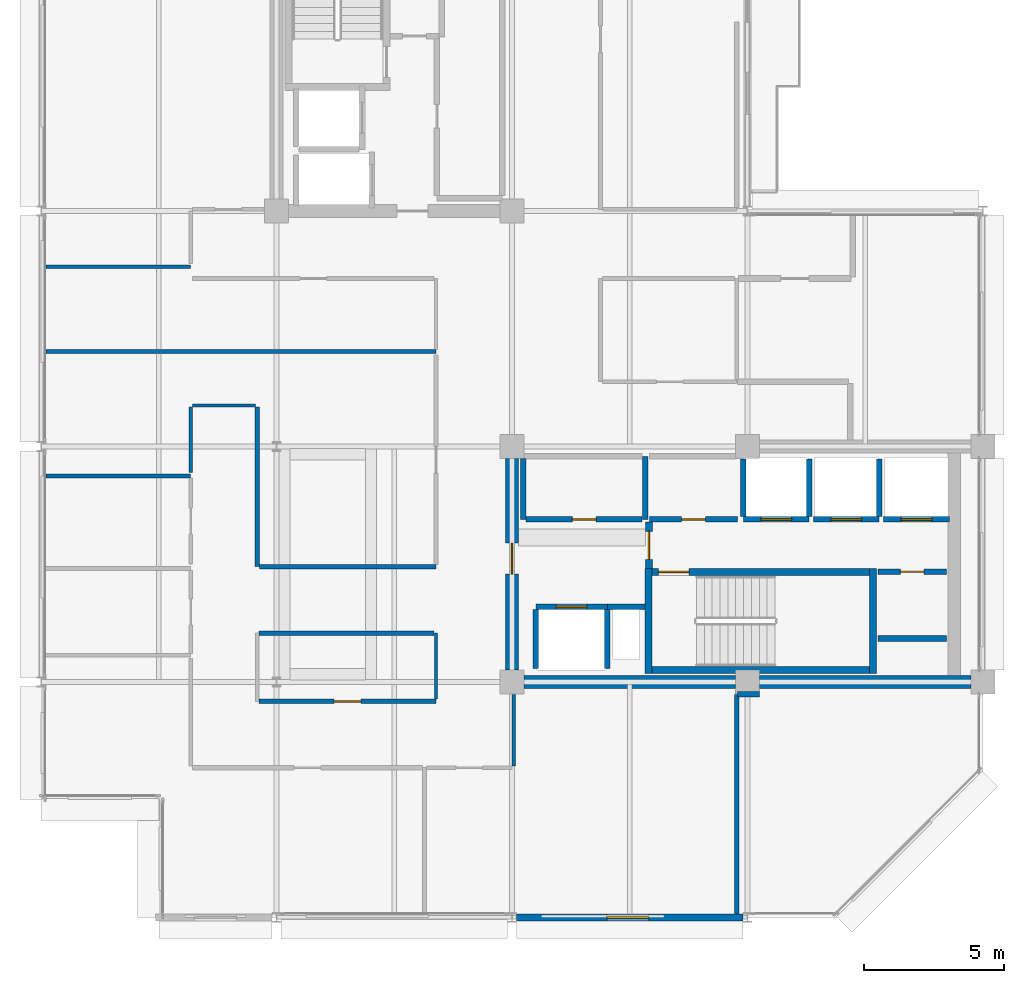
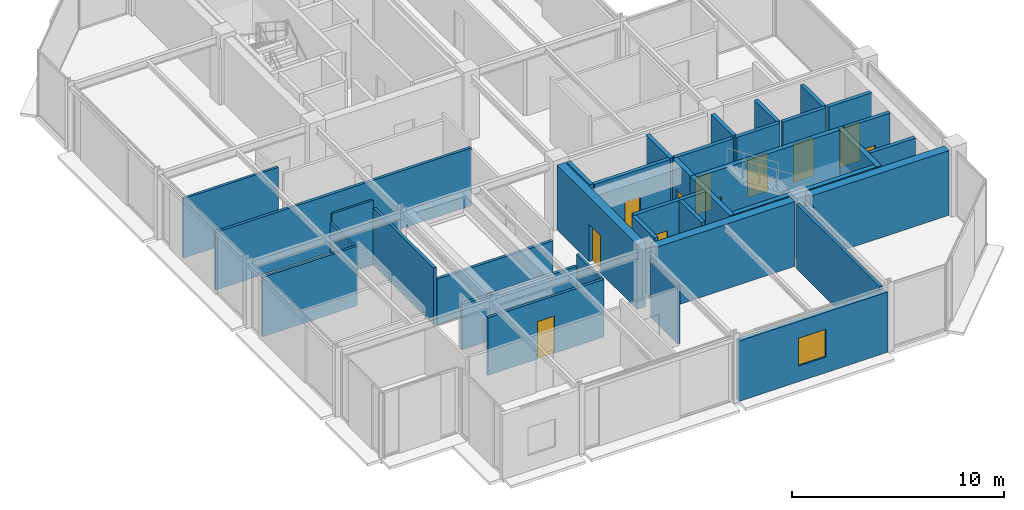
# One storey, part 20 of 25: 38 walls, 11 doors, 1 window, 12 openings.
"""IFC4 building model written with IfcOpenShell, lengths in metres."""

from ifc_helpers import new_model, si_unit, direction, frame, frame_2d, origin, place, context, subcontext, project, spatial, rectangle, extrude, material, layer, layer_set, type_object, element, fill, save


model = new_model("IFC4")

# Units and contexts
model_context = context("Model", 3, precision=1e-05, world=origin(), true_north=direction((0.0, 1.0)))
body_context = subcontext(model_context, "Body", "Model", "MODEL_VIEW")
ifc_project = project(units=[si_unit("LENGTHUNIT", "METRE"), si_unit("AREAUNIT", "SQUARE_METRE"), si_unit("VOLUMEUNIT", "CUBIC_METRE"), si_unit("PLANEANGLEUNIT", "RADIAN"), si_unit("MASSUNIT", "GRAM", prefix="KILO")], contexts=[model_context])

# Site, building, storey
site_placement = place(None, origin())
site = spatial("IfcSite", under=ifc_project, at=site_placement, CompositionType="ELEMENT")
building_placement = place(site_placement, origin())
building = spatial("IfcBuilding", under=site, at=building_placement, Name="Nerrivon Quay Data Exchange", CompositionType="ELEMENT")
storey_placement = place(building_placement, frame((0.0, 0.0, 314.199951171875)))
storey = spatial("IfcBuildingStorey", under=building, at=storey_placement, Name="L75", CompositionType="ELEMENT", Elevation=314.199951171875)

# Wall, opening, window
ifc_material_1 = material(Name="Architectural terracotta precast concrete N50 (50 MPa)", Category="masonry")
ifc_layer_1 = layer(ifc_material_1, 0.239990234375)
ifc_layer_set_1 = layer_set([ifc_layer_1], Name="Architectural terracotta precast concrete N50 (50 MPa)")
wall_type_1 = type_object("IfcWallType", Name="EW-PREC-240", PredefinedType="STANDARD", material=ifc_layer_set_1)
wall_1_placement = place(storey_placement, frame((25.04443359375, 0.0, 0.0), z_axis=(0.0, 0.0, 1.0), x_axis=(-1.0, 0.0, 0.0)))
wall_1 = element("IfcWall", 1, at=wall_1_placement, inside=storey, type_object=wall_type_1, Name="L75 Podium Precast Spandrel Wall 3", PredefinedType="STANDARD", context=body_context, shape_type="SweptSolid", body=[
    extrude(rectangle(XDim=8.0888671875, YDim=0.239990234375, at=frame_2d((4.04443359375, 0.0))), origin(), (0.0, 0.0, 1.0), 3.47509765625),
])
opening_1_placement = place(wall_1_placement, frame((3.36376953125, 0.0, 0.89990234375)))
opening_1 = element("IfcOpeningElement", 2, at=opening_1_placement, cuts=wall_1, Name="Opening WN4", PredefinedType="OPENING", context=body_context, shape_type="SweptSolid", body=[
    extrude(rectangle(XDim=1.5, YDim=1.60009765625, at=frame_2d((0.75, 0.800048828125))), frame((0.0, 0.1298828125, 0.0), z_axis=(0.0, -1.0, 0.0), x_axis=(1.0, 0.0, 0.0)), (0.0, 0.0, 1.0), 0.260009765625),
])
ifc_material_2 = material(Name="Double-glazed low-E solar control glass", Category="glass")
window_type = type_object("IfcWindowType", Name="WIN-W4-1500x1600", PartitioningType="SINGLE_PANEL", PredefinedType="WINDOW", material=ifc_material_2)
window_placement = place(opening_1_placement, origin())
window = element("IfcWindow", 3, at=window_placement, inside=storey, type_object=window_type, Name="L75 Solar Facade Window 3", OverallHeight=1.60009765625, OverallWidth=1.5, PartitioningType="SINGLE_PANEL", PredefinedType="WINDOW", context=body_context, shape_type="SweptSolid", body=[
    extrude(rectangle(XDim=1.5, YDim=1.60009765625, at=frame_2d((0.75, 0.800048828125))), frame((0.0, 0.030029296875, 0.0), z_axis=(0.0, -1.0, 0.0), x_axis=(1.0, 0.0, 0.0)), (0.0, 0.0, 1.0), 0.06005859375),
])
fill(opening_1, window)

# Walls
ifc_material_3 = material(Name="Concrete N50 (50 MPa)", Category="concrete")
ifc_layer_2 = layer(ifc_material_3, 0.449951171875)
ifc_layer_set_2 = layer_set([ifc_layer_2], Name="Concrete N50 (50 MPa)")
wall_type_2 = type_object("IfcWallType", Name="WALL-CW-550", PredefinedType="SHEAR", material=ifc_layer_set_2)
wall_2_placement = place(storey_placement, frame((17.22509765625, 8.39990234375, 0.0), z_axis=(0.0, 0.0, 1.0), x_axis=(1.0, 0.0, 0.0)))
element("IfcWall", 4, at=wall_2_placement, inside=storey, type_object=wall_type_2, Name="L75 East Split-Core Shear Wall ECW-S1", PredefinedType="SHEAR", context=body_context, shape_type="SweptSolid", body=[
    extrude(rectangle(XDim=7.5498046875, YDim=0.449951171875, at=frame_2d((3.77490234375, 0.0))), origin(), (0.0, 0.0, 1.0), 3.72509765625),
])
wall_3_placement = place(storey_placement, frame((25.625, 8.39990234375, 0.0), z_axis=(0.0, 0.0, 1.0), x_axis=(1.0, 0.0, 0.0)))
element("IfcWall", 5, at=wall_3_placement, inside=storey, type_object=wall_type_2, Name="L75 East Split-Core Shear Wall ECW-S2", PredefinedType="SHEAR", context=body_context, shape_type="SweptSolid", body=[
    extrude(rectangle(XDim=7.550048828125, YDim=0.449951171875, at=frame_2d((3.77490234375, 0.0))), origin(), (0.0, 0.0, 1.0), 3.72509765625),
])

# Wall, opening, door
wall_4_placement = place(storey_placement, frame((16.800048828125, 8.824951171875, 0.0), z_axis=(0.0, 0.0, 1.0), x_axis=(0.0, 1.0, 0.0)))
wall_4 = element("IfcWall", 6, at=wall_4_placement, inside=storey, type_object=wall_type_2, Name="L75 East Split-Core Shear Wall ECW-W1", PredefinedType="SHEAR", context=body_context, shape_type="SweptSolid", body=[
    extrude(rectangle(XDim=7.550048828125, YDim=0.449951171875, at=frame_2d((3.77490234375, 0.0))), origin(), (0.0, 0.0, 1.0), 3.72509765625),
])
opening_2_placement = place(wall_4_placement, frame((3.425048828125, 0.0, 0.0)))
opening_2 = element("IfcOpeningElement", 7, at=opening_2_placement, cuts=wall_4, Name="Opening FD-120", PredefinedType="OPENING", context=body_context, shape_type="SweptSolid", body=[
    extrude(rectangle(XDim=1.10009765625, YDim=2.14990234375, at=frame_2d((0.550048828125, 1.074951171875))), frame((0.0, 0.23486328125, 0.0), z_axis=(0.0, -1.0, 0.0), x_axis=(1.0, 0.0, 0.0)), (0.0, 0.0, 1.0), 0.469970703125),
])
ifc_material_4 = material(Name="Powder-coated galvanized steel sheet", Category="steel")
door_type_1 = type_object("IfcDoorType", Name="DR-FD120-1100", OperationType="NOTDEFINED", PredefinedType="DOOR", material=ifc_material_4)
door_1_placement = place(opening_2_placement, origin())
door_1 = element("IfcDoor", 8, at=door_1_placement, inside=storey, type_object=door_type_1, Name="L75 East Core Lobby Fire Door", OperationType="SINGLE_SWING_LEFT", OverallHeight=2.14990234375, OverallWidth=1.10009765625, PredefinedType="DOOR", context=body_context, shape_type="SweptSolid", body=[
    extrude(rectangle(XDim=1.10009765625, YDim=2.14990234375, at=frame_2d((0.550048828125, 1.074951171875))), frame((0.0, 0.02490234375, 0.0), z_axis=(0.0, -1.0, 0.0), x_axis=(1.0, 0.0, 0.0)), (0.0, 0.0, 1.0), 0.050048828125),
])
fill(opening_2, door_1)

# Wall
ifc_material_5 = material(Name="Gypsum plasterboard on cold-formed framing", Category="gypsum")
ifc_layer_3 = layer(ifc_material_5, 0.199951171875)
ifc_layer_set_3 = layer_set([ifc_layer_3], Name="Gypsum plasterboard on cold-formed framing")
wall_type_3 = type_object("IfcWallType", Name="WALL-FW-200", PredefinedType="PARTITIONING", material=ifc_layer_set_3)
wall_5_placement = place(storey_placement, frame((20.199951171875, 11.080078125, 0.0), z_axis=(0.0, 0.0, 1.0), x_axis=(1.0, 0.0, 0.0)))
element("IfcWall", 9, at=wall_5_placement, inside=storey, type_object=wall_type_3, Name="L75 East Core MEP Riser Shaft Wall N", PredefinedType="PARTITIONING", context=body_context, shape_type="SweptSolid", body=[
    extrude(rectangle(XDim=1.35009765625, YDim=0.199951171875, at=frame_2d((0.675048828125, 0.0))), origin(), (0.0, 0.0, 1.0), 3.72509765625),
])

# Wall, opening, door
wall_6_placement = place(storey_placement, frame((17.64990234375, 11.080078125, 0.0), z_axis=(0.0, 0.0, 1.0), x_axis=(1.0, 0.0, 0.0)))
wall_6 = element("IfcWall", 10, at=wall_6_placement, inside=storey, type_object=wall_type_3, Name="L75 Lift Front Wall FFL-2", PredefinedType="PARTITIONING", context=body_context, shape_type="SweptSolid", body=[
    extrude(rectangle(XDim=2.550048828125, YDim=0.199951171875, at=frame_2d((1.27490234375, 0.0))), origin(), (0.0, 0.0, 1.0), 3.72509765625),
])
opening_3_placement = place(wall_6_placement, frame((0.72509765625, 0.0, 0.0)))
opening_3 = element("IfcOpeningElement", 11, at=opening_3_placement, cuts=wall_6, Name="Opening LD-120", PredefinedType="OPENING", context=body_context, shape_type="SweptSolid", body=[
    extrude(rectangle(XDim=1.10009765625, YDim=2.199951171875, at=frame_2d((0.550048828125, 1.10009765625))), frame((0.0, 0.10986328125, 0.0), z_axis=(0.0, -1.0, 0.0), x_axis=(1.0, 0.0, 0.0)), (0.0, 0.0, 1.0), 0.219970703125),
])
door_type_2 = type_object("IfcDoorType", Name="DR-LIFT-LD120", OperationType="DOUBLE_DOOR_SLIDING", PredefinedType="DOOR", material=ifc_material_4)
door_2_placement = place(opening_3_placement, origin())
door_2 = element("IfcDoor", 12, at=door_2_placement, inside=storey, type_object=door_type_2, Name="L75 Lift Landing Sliding Door FFL-2", OperationType="DOUBLE_DOOR_SLIDING", OverallHeight=2.199951171875, OverallWidth=1.10009765625, PredefinedType="DOOR", context=body_context, shape_type="SweptSolid", body=[
    extrude(rectangle(XDim=1.10009765625, YDim=2.199951171875, at=frame_2d((0.550048828125, 1.10009765625))), frame((0.0, 0.02490234375, 0.0), z_axis=(0.0, -1.0, 0.0), x_axis=(1.0, 0.0, 0.0)), (0.0, 0.0, 1.0), 0.050048828125),
])
fill(opening_3, door_2)

# Walls
for number, where, z_axis, x_axis, name in (
    (13, (20.199951171875, 8.8798828125, 0.0), (0.0, 0.0, 1.0), (0.0, 1.0, 0.0), "L75 Lift Shaft Wall FFL-2 EAST"),
    (14, (17.64990234375, 8.8798828125, 0.0), (0.0, 0.0, 1.0), (0.0, 1.0, 0.0), "L75 Lift Shaft Wall FFL-2 WEST"),
):
    element("IfcWall", number, at=place(storey_placement, frame(where, z_axis=z_axis, x_axis=x_axis)), inside=storey, type_object=wall_type_3, Name=name, PredefinedType="PARTITIONING", context=body_context, shape_type="SweptSolid", body=[
        extrude(rectangle(XDim=2.10009765625, YDim=0.199951171875, at=frame_2d((1.050048828125, 0.0))), origin(), (0.0, 0.0, 1.0), 3.72509765625),
    ])

# Wall, opening, door
wall_7_placement = place(storey_placement, frame((25.050048828125, 14.199951171875, 0.0), z_axis=(0.0, 0.0, 1.0), x_axis=(1.0, 0.0, 0.0)))
wall_7 = element("IfcWall", 15, at=wall_7_placement, inside=storey, type_object=wall_type_3, Name="L75 Lift Front Wall PL7", PredefinedType="PARTITIONING", context=body_context, shape_type="SweptSolid", body=[
    extrude(rectangle(XDim=2.349853515625, YDim=0.199951171875, at=frame_2d((1.1748046875, 0.0))), origin(), (0.0, 0.0, 1.0), 3.72509765625),
])
opening_4_placement = place(wall_7_placement, frame((0.625, 0.0, 0.0)))
opening_4 = element("IfcOpeningElement", 16, at=opening_4_placement, cuts=wall_7, Name="Opening LD-120", PredefinedType="OPENING", context=body_context, shape_type="SweptSolid", body=[
    extrude(rectangle(XDim=1.10009765625, YDim=2.199951171875, at=frame_2d((0.550048828125, 1.10009765625))), frame((0.0, 0.10986328125, 0.0), z_axis=(0.0, -1.0, 0.0), x_axis=(1.0, 0.0, 0.0)), (0.0, 0.0, 1.0), 0.219970703125),
])
door_3_placement = place(opening_4_placement, origin())
door_3 = element("IfcDoor", 17, at=door_3_placement, inside=storey, type_object=door_type_2, Name="L75 Lift Landing Sliding Door PL7", OperationType="DOUBLE_DOOR_SLIDING", OverallHeight=2.199951171875, OverallWidth=1.10009765625, PredefinedType="DOOR", context=body_context, shape_type="SweptSolid", body=[
    extrude(rectangle(XDim=1.10009765625, YDim=2.199951171875, at=frame_2d((0.550048828125, 1.10009765625))), frame((0.0, 0.02490234375, 0.0), z_axis=(0.0, -1.0, 0.0), x_axis=(1.0, 0.0, 0.0)), (0.0, 0.0, 1.0), 0.050048828125),
])
fill(opening_4, door_3)

# Walls
for number, where, z_axis, x_axis, name in (
    (18, (27.39990234375, 14.300048828125, 0.0), (0.0, 0.0, 1.0), (0.0, 1.0, 0.0), "L75 Lift Shaft Wall PL7 EAST"),
    (19, (25.050048828125, 14.300048828125, 0.0), (0.0, 0.0, 1.0), (0.0, 1.0, 0.0), "L75 Lift Shaft Wall PL7 WEST"),
):
    element("IfcWall", number, at=place(storey_placement, frame(where, z_axis=z_axis, x_axis=x_axis)), inside=storey, type_object=wall_type_3, Name=name, PredefinedType="PARTITIONING", context=body_context, shape_type="SweptSolid", body=[
        extrude(rectangle(XDim=2.050048828125, YDim=0.199951171875, at=frame_2d((1.02490234375, 0.0))), origin(), (0.0, 0.0, 1.0), 3.72509765625),
    ])

# Wall, opening, door
wall_8_placement = place(storey_placement, frame((27.550048828125, 14.199951171875, 0.0), z_axis=(0.0, 0.0, 1.0), x_axis=(1.0, 0.0, 0.0)))
wall_8 = element("IfcWall", 20, at=wall_8_placement, inside=storey, type_object=wall_type_3, Name="L75 Lift Front Wall PL8", PredefinedType="PARTITIONING", context=body_context, shape_type="SweptSolid", body=[
    extrude(rectangle(XDim=2.349853515625, YDim=0.199951171875, at=frame_2d((1.1748046875, 0.0))), origin(), (0.0, 0.0, 1.0), 3.72509765625),
])
opening_5_placement = place(wall_8_placement, frame((0.625, 0.0, 0.0)))
opening_5 = element("IfcOpeningElement", 21, at=opening_5_placement, cuts=wall_8, Name="Opening LD-120", PredefinedType="OPENING", context=body_context, shape_type="SweptSolid", body=[
    extrude(rectangle(XDim=1.10009765625, YDim=2.199951171875, at=frame_2d((0.550048828125, 1.10009765625))), frame((0.0, 0.10986328125, 0.0), z_axis=(0.0, -1.0, 0.0), x_axis=(1.0, 0.0, 0.0)), (0.0, 0.0, 1.0), 0.219970703125),
])
door_4_placement = place(opening_5_placement, origin())
door_4 = element("IfcDoor", 22, at=door_4_placement, inside=storey, type_object=door_type_2, Name="L75 Lift Landing Sliding Door PL8", OperationType="DOUBLE_DOOR_SLIDING", OverallHeight=2.199951171875, OverallWidth=1.10009765625, PredefinedType="DOOR", context=body_context, shape_type="SweptSolid", body=[
    extrude(rectangle(XDim=1.10009765625, YDim=2.199951171875, at=frame_2d((0.550048828125, 1.10009765625))), frame((0.0, 0.02490234375, 0.0), z_axis=(0.0, -1.0, 0.0), x_axis=(1.0, 0.0, 0.0)), (0.0, 0.0, 1.0), 0.050048828125),
])
fill(opening_5, door_4)

# Wall
wall_9_placement = place(storey_placement, frame((29.89990234375, 14.300048828125, 0.0), z_axis=(0.0, 0.0, 1.0), x_axis=(0.0, 1.0, 0.0)))
element("IfcWall", 23, at=wall_9_placement, inside=storey, type_object=wall_type_3, Name="L75 Lift Shaft Wall PL8 EAST", PredefinedType="PARTITIONING", context=body_context, shape_type="SweptSolid", body=[
    extrude(rectangle(XDim=2.050048828125, YDim=0.199951171875, at=frame_2d((1.02490234375, 0.0))), origin(), (0.0, 0.0, 1.0), 3.72509765625),
])

# Wall, opening, door
wall_10_placement = place(storey_placement, frame((30.050048828125, 14.199951171875, 0.0), z_axis=(0.0, 0.0, 1.0), x_axis=(1.0, 0.0, 0.0)))
wall_10 = element("IfcWall", 24, at=wall_10_placement, inside=storey, type_object=wall_type_3, Name="L75 Lift Front Wall PL9", PredefinedType="PARTITIONING", context=body_context, shape_type="SweptSolid", body=[
    extrude(rectangle(XDim=2.349853515625, YDim=0.199951171875, at=frame_2d((1.1748046875, 0.0))), origin(), (0.0, 0.0, 1.0), 3.72509765625),
])
opening_6_placement = place(wall_10_placement, frame((0.625, 0.0, 0.0)))
opening_6 = element("IfcOpeningElement", 25, at=opening_6_placement, cuts=wall_10, Name="Opening LD-120", PredefinedType="OPENING", context=body_context, shape_type="SweptSolid", body=[
    extrude(rectangle(XDim=1.10009765625, YDim=2.199951171875, at=frame_2d((0.550048828125, 1.10009765625))), frame((0.0, 0.10986328125, 0.0), z_axis=(0.0, -1.0, 0.0), x_axis=(1.0, 0.0, 0.0)), (0.0, 0.0, 1.0), 0.219970703125),
])
door_5_placement = place(opening_6_placement, origin())
door_5 = element("IfcDoor", 26, at=door_5_placement, inside=storey, type_object=door_type_2, Name="L75 Lift Landing Sliding Door PL9", OperationType="DOUBLE_DOOR_SLIDING", OverallHeight=2.199951171875, OverallWidth=1.10009765625, PredefinedType="DOOR", context=body_context, shape_type="SweptSolid", body=[
    extrude(rectangle(XDim=1.10009765625, YDim=2.199951171875, at=frame_2d((0.550048828125, 1.10009765625))), frame((0.0, 0.02490234375, 0.0), z_axis=(0.0, -1.0, 0.0), x_axis=(1.0, 0.0, 0.0)), (0.0, 0.0, 1.0), 0.050048828125),
])
fill(opening_6, door_5)

# Walls
wall_11_placement = place(storey_placement, frame((21.550048828125, 14.199951171875, 0.0), z_axis=(0.0, 0.0, 1.0), x_axis=(0.0, 1.0, 0.0)))
element("IfcWall", 27, at=wall_11_placement, inside=storey, type_object=wall_type_3, Name="L75 Partition High-Zone Calibration Store", PredefinedType="PARTITIONING", context=body_context, shape_type="SweptSolid", body=[
    extrude(rectangle(XDim=2.25, YDim=0.199951171875, at=frame_2d((1.125, 0.0))), origin(), (0.0, 0.0, 1.0), 3.72509765625),
])
wall_12_placement = place(storey_placement, frame((17.199951171875, 16.3701171875, 0.0), z_axis=(0.0, 0.0, 1.0), x_axis=(0.0, -1.0, 0.0)))
element("IfcWall", 28, at=wall_12_placement, inside=storey, type_object=wall_type_3, Name="L75 Partition High-Zone Calibration Store", PredefinedType="PARTITIONING", context=body_context, shape_type="SweptSolid", body=[
    extrude(rectangle(XDim=2.170166015625, YDim=0.199951171875, at=frame_2d((1.0849609375, 0.0))), origin(), (0.0, 0.0, 1.0), 3.72509765625),
])

# Wall, opening, door
wall_13_placement = place(storey_placement, frame((17.303955078125, 14.199951171875, 0.0), z_axis=(0.0, 0.0, 1.0), x_axis=(1.0, 0.0, 0.0)))
wall_13 = element("IfcWall", 29, at=wall_13_placement, inside=storey, type_object=wall_type_3, Name="L75 Partition High-Zone Calibration Store", PredefinedType="PARTITIONING", context=body_context, shape_type="SweptSolid", body=[
    extrude(rectangle(XDim=4.14208984375, YDim=0.199951171875, at=frame_2d((2.071044921875, 0.0))), origin(), (0.0, 0.0, 1.0), 3.72509765625),
])
opening_7_placement = place(wall_13_placement, frame((1.64599609375, 0.0, 0.0)))
opening_7 = element("IfcOpeningElement", 30, at=opening_7_placement, cuts=wall_13, Name="Opening FD-60S", PredefinedType="OPENING", context=body_context, shape_type="SweptSolid", body=[
    extrude(rectangle(XDim=0.85009765625, YDim=2.14990234375, at=frame_2d((0.425048828125, 1.074951171875))), frame((0.0, 0.10986328125, 0.0), z_axis=(0.0, -1.0, 0.0), x_axis=(1.0, 0.0, 0.0)), (0.0, 0.0, 1.0), 0.219970703125),
])
ifc_material_6 = material(Name="Engineered hardwood timber", Category="wood")
door_type_3 = type_object("IfcDoorType", Name="DR-FD60-850", OperationType="NOTDEFINED", PredefinedType="DOOR", material=ifc_material_6)
door_6_placement = place(opening_7_placement, origin())
door_6 = element("IfcDoor", 31, at=door_6_placement, inside=storey, type_object=door_type_3, Name="L75 Door High-Zone Calibration Store", OperationType="SINGLE_SWING_RIGHT", OverallHeight=2.14990234375, OverallWidth=0.85009765625, PredefinedType="DOOR", context=body_context, shape_type="SweptSolid", body=[
    extrude(rectangle(XDim=0.85009765625, YDim=2.14990234375, at=frame_2d((0.425048828125, 1.074951171875))), frame((0.0, 0.02490234375, 0.0), z_axis=(0.0, -1.0, 0.0), x_axis=(1.0, 0.0, 0.0)), (0.0, 0.0, 1.0), 0.050048828125),
])
fill(opening_7, door_6)

wall_14_placement = place(storey_placement, frame((21.699951171875, 14.199951171875, 0.0), z_axis=(0.0, 0.0, 1.0), x_axis=(1.0, 0.0, 0.0)))
wall_14 = element("IfcWall", 32, at=wall_14_placement, inside=storey, type_object=wall_type_3, Name="L75 Partition High-Zone Network Closet", PredefinedType="PARTITIONING", context=body_context, shape_type="SweptSolid", body=[
    extrude(rectangle(XDim=3.150146484375, YDim=0.199951171875, at=frame_2d((1.5751953125, 0.0))), origin(), (0.0, 0.0, 1.0), 3.72509765625),
])
opening_8_placement = place(wall_14_placement, frame((1.14990234375, 0.0, 0.0)))
opening_8 = element("IfcOpeningElement", 33, at=opening_8_placement, cuts=wall_14, Name="Opening FD-60S", PredefinedType="OPENING", context=body_context, shape_type="SweptSolid", body=[
    extrude(rectangle(XDim=0.85009765625, YDim=2.14990234375, at=frame_2d((0.425048828125, 1.074951171875))), frame((0.0, 0.10986328125, 0.0), z_axis=(0.0, -1.0, 0.0), x_axis=(1.0, 0.0, 0.0)), (0.0, 0.0, 1.0), 0.219970703125),
])
door_7_placement = place(opening_8_placement, origin())
door_7 = element("IfcDoor", 34, at=door_7_placement, inside=storey, type_object=door_type_3, Name="L75 Door High-Zone Network Closet", OperationType="SINGLE_SWING_LEFT", OverallHeight=2.14990234375, OverallWidth=0.85009765625, PredefinedType="DOOR", context=body_context, shape_type="SweptSolid", body=[
    extrude(rectangle(XDim=0.85009765625, YDim=2.14990234375, at=frame_2d((0.425048828125, 1.074951171875))), frame((0.0, 0.02490234375, 0.0), z_axis=(0.0, -1.0, 0.0), x_axis=(1.0, 0.0, 0.0)), (0.0, 0.0, 1.0), 0.050048828125),
])
fill(opening_8, door_7)

wall_15_placement = place(storey_placement, frame((32.300048828125, 12.330078125, 0.0), z_axis=(0.0, 0.0, 1.0), x_axis=(-1.0, 0.0, 0.0)))
wall_15 = element("IfcWall", 35, at=wall_15_placement, inside=storey, type_object=wall_type_3, Name="L75 Partition East Supply Store", PredefinedType="PARTITIONING", context=body_context, shape_type="SweptSolid", body=[
    extrude(rectangle(XDim=2.449951171875, YDim=0.199951171875, at=frame_2d((1.22509765625, 0.0))), origin(), (0.0, 0.0, 1.0), 3.72509765625),
])
opening_9_placement = place(wall_15_placement, frame((0.800048828125, 0.0, 0.0)))
opening_9 = element("IfcOpeningElement", 36, at=opening_9_placement, cuts=wall_15, Name="Opening FD-60S", PredefinedType="OPENING", context=body_context, shape_type="SweptSolid", body=[
    extrude(rectangle(XDim=0.85009765625, YDim=2.14990234375, at=frame_2d((0.425048828125, 1.074951171875))), frame((0.0, 0.10986328125, 0.0), z_axis=(0.0, -1.0, 0.0), x_axis=(1.0, 0.0, 0.0)), (0.0, 0.0, 1.0), 0.219970703125),
])
door_8_placement = place(opening_9_placement, origin())
door_8 = element("IfcDoor", 37, at=door_8_placement, inside=storey, type_object=door_type_3, Name="L75 Door East Supply Store", OperationType="SINGLE_SWING_RIGHT", OverallHeight=2.14990234375, OverallWidth=0.85009765625, PredefinedType="DOOR", context=body_context, shape_type="SweptSolid", body=[
    extrude(rectangle(XDim=0.85009765625, YDim=2.14990234375, at=frame_2d((0.425048828125, 1.074951171875))), frame((0.0, 0.02490234375, 0.0), z_axis=(0.0, -1.0, 0.0), x_axis=(1.0, 0.0, 0.0)), (0.0, 0.0, 1.0), 0.050048828125),
])
fill(opening_9, door_8)

# Walls
wall_16_placement = place(storey_placement, frame((29.85009765625, 9.949951171875, 0.0), z_axis=(0.0, 0.0, 1.0), x_axis=(1.0, 0.0, 0.0)))
element("IfcWall", 38, at=wall_16_placement, inside=storey, type_object=wall_type_3, Name="L75 Partition East Supply Store", PredefinedType="PARTITIONING", context=body_context, shape_type="SweptSolid", body=[
    extrude(rectangle(XDim=2.449951171875, YDim=0.199951171875, at=frame_2d((1.22509765625, 0.0))), origin(), (0.0, 0.0, 1.0), 3.72509765625),
])
wall_17_placement = place(storey_placement, frame((25.630859375, 7.955810546875, 0.0), z_axis=(0.0, 0.0, 1.0), x_axis=(-0.999999575533, -0.00092137553, 0.0)))
element("IfcWall", 39, at=wall_17_placement, inside=storey, type_object=wall_type_3, Name="L75 Partition Colocation Data Workspace 1", PredefinedType="PARTITIONING", context=body_context, shape_type="SweptSolid", body=[
    extrude(rectangle(XDim=0.794921875, YDim=0.199951171875, at=frame_2d((0.3974609375, 0.0))), origin(), (0.0, 0.0, 1.0), 3.319091796875),
])
ifc_layer_4 = layer(ifc_material_5, 0.1201171875)
ifc_layer_set_4 = layer_set([ifc_layer_4], Name="Gypsum plasterboard on cold-formed framing")
wall_type_4 = type_object("IfcWallType", Name="WALL-PT-120", PredefinedType="PARTITIONING", material=ifc_layer_set_4)
wall_18_placement = place(storey_placement, frame((14.090087890625, 7.7890625, 0.0), z_axis=(0.0, 0.0, 1.0), x_axis=(0.0, 1.0, 0.0)))
element("IfcWall", 40, at=wall_18_placement, inside=storey, type_object=wall_type_4, Name="L75 Partition Staff Pantry", PredefinedType="PARTITIONING", context=body_context, shape_type="SweptSolid", body=[
    extrude(rectangle(XDim=2.350830078125, YDim=0.1201171875, at=frame_2d((1.17529296875, 0.0))), origin(), (0.0, 0.0, 1.0), 3.27099609375),
])
wall_19_placement = place(storey_placement, frame((5.340087890625, 15.8701171875, 0.0), z_axis=(0.0, 0.0, 1.0), x_axis=(0.0, 1.0, 0.0)))
element("IfcWall", 41, at=wall_19_placement, inside=storey, type_object=wall_type_4, Name="L75 Partition Peering Huddle Meeting Room", PredefinedType="PARTITIONING", context=body_context, shape_type="SweptSolid", body=[
    extrude(rectangle(XDim=2.329833984375, YDim=0.1201171875, at=frame_2d((1.1650390625, 0.0))), origin(), (0.0, 0.0, 1.0), 3.27099609375),
])
wall_20_placement = place(storey_placement, frame((5.39990234375, 18.260009765625, 0.0), z_axis=(0.0, 0.0, 1.0), x_axis=(1.0, 0.0, 0.0)))
element("IfcWall", 42, at=wall_20_placement, inside=storey, type_object=wall_type_4, Name="L75 Partition Peering Huddle Meeting Room", PredefinedType="PARTITIONING", context=body_context, shape_type="SweptSolid", body=[
    extrude(rectangle(XDim=2.25, YDim=0.1201171875, at=frame_2d((1.125, 0.0))), origin(), (0.0, 0.0, 1.0), 3.72509765625),
])
wall_21_placement = place(storey_placement, frame((16.860107421875, 7.955078125, 0.0), z_axis=(0.0, 0.0, 1.0), x_axis=(0.0, -1.0, 0.0)))
element("IfcWall", 43, at=wall_21_placement, inside=storey, type_object=wall_type_4, Name="L75 Partition Cloud Compute Workspace 1", PredefinedType="PARTITIONING", context=body_context, shape_type="SweptSolid", body=[
    extrude(rectangle(XDim=2.55517578125, YDim=0.1201171875, at=frame_2d((1.277587890625, 0.0))), origin(), (0.0, 0.0, 1.0), 3.319091796875),
])
ifc_layer_5 = layer(ifc_material_5, 0.135009765625)
ifc_layer_set_5 = layer_set([ifc_layer_5], Name="Gypsum plasterboard on cold-formed framing")
wall_type_5 = type_object("IfcWallType", Name="WALL-PT-135", PredefinedType="PARTITIONING", material=ifc_layer_set_5)
for number, where, z_axis, x_axis, name in (
    (44, (5.340087890625, 15.75, 0.0), (0.0, 0.0, 1.0), (-1.0, 0.0, 0.0), "L75 Partition Public Washrooms"),
    (45, (5.340087890625, 23.21435546875, 0.0), (0.0, 0.0, 1.0), (-1.0, 0.0, 0.0), "L75 Partition Engineers Lounge"),
):
    element("IfcWall", number, at=place(storey_placement, frame(where, z_axis=z_axis, x_axis=x_axis)), inside=storey, type_object=wall_type_5, Name=name, PredefinedType="PARTITIONING", context=body_context, shape_type="SweptSolid", body=[
        extrude(rectangle(XDim=5.171142578125, YDim=0.135009765625, at=frame_2d((2.58544921875, 0.0))), origin(), (0.0, 0.0, 1.0), 3.421142578125),
    ])

# Wall, opening, door
ifc_layer_6 = layer(ifc_material_5, 0.14990234375)
ifc_layer_set_6 = layer_set([ifc_layer_6], Name="Gypsum plasterboard on cold-formed framing")
wall_type_6 = type_object("IfcWallType", Name="WALL-PT-150", PredefinedType="PARTITIONING", material=ifc_layer_set_6)
wall_22_placement = place(storey_placement, frame((7.77392578125, 7.7099609375, 0.0), z_axis=(0.0, 0.0, 1.0), x_axis=(1.0, 0.0, 0.0)))
wall_22 = element("IfcWall", 46, at=wall_22_placement, inside=storey, type_object=wall_type_6, Name="L75 Partition Staff Pantry", PredefinedType="PARTITIONING", context=body_context, shape_type="SweptSolid", body=[
    extrude(rectangle(XDim=6.316162109375, YDim=0.14990234375, at=frame_2d((3.158203125, 0.0))), origin(), (0.0, 0.0, 1.0), 3.319091796875),
])
opening_10_placement = place(wall_22_placement, frame((2.68310546875, 0.0, 0.0)))
opening_10 = element("IfcOpeningElement", 47, at=opening_10_placement, cuts=wall_22, Name="Opening D-01", PredefinedType="OPENING", context=body_context, shape_type="SweptSolid", body=[
    extrude(rectangle(XDim=0.949951171875, YDim=2.14990234375, at=frame_2d((0.47509765625, 1.074951171875))), frame((0.0, 0.0849609375, 0.0), z_axis=(0.0, -1.0, 0.0), x_axis=(1.0, 0.0, 0.0)), (0.0, 0.0, 1.0), 0.169921875),
])
door_type_4 = type_object("IfcDoorType", Name="DR-INT-950", OperationType="NOTDEFINED", PredefinedType="DOOR", material=ifc_material_6)
door_9_placement = place(opening_10_placement, origin())
door_9 = element("IfcDoor", 48, at=door_9_placement, inside=storey, type_object=door_type_4, Name="L75 Door Staff Pantry", OperationType="SINGLE_SWING_LEFT", OverallHeight=2.14990234375, OverallWidth=0.949951171875, PredefinedType="DOOR", context=body_context, shape_type="SweptSolid", body=[
    extrude(rectangle(XDim=0.949951171875, YDim=2.14990234375, at=frame_2d((0.47509765625, 1.074951171875))), frame((0.0, 0.02490234375, 0.0), z_axis=(0.0, -1.0, 0.0), x_axis=(1.0, 0.0, 0.0)), (0.0, 0.0, 1.0), 0.050048828125),
])
fill(opening_10, door_9)

# Walls
wall_23_placement = place(storey_placement, frame((14.02587890625, 10.139892578125, 0.0), z_axis=(0.0, 0.0, 1.0), x_axis=(-1.0, 0.0, 0.0)))
element("IfcWall", 49, at=wall_23_placement, inside=storey, type_object=wall_type_6, Name="L75 Partition Staff Pantry", PredefinedType="PARTITIONING", context=body_context, shape_type="SweptSolid", body=[
    extrude(rectangle(XDim=6.251953125, YDim=0.14990234375, at=frame_2d((3.1259765625, 0.0))), origin(), (0.0, 0.0, 1.0), 2.625),
])
wall_24_placement = place(storey_placement, frame((0.1689453125, 20.18701171875, 0.0), z_axis=(0.0, 0.0, 1.0), x_axis=(1.0, 0.0, 0.0)))
element("IfcWall", 50, at=wall_24_placement, inside=storey, type_object=wall_type_6, Name="L75 Partition Engineers Lounge", PredefinedType="PARTITIONING", context=body_context, shape_type="SweptSolid", body=[
    extrude(rectangle(XDim=13.921142578125, YDim=0.14990234375, at=frame_2d((6.96044921875, 0.0))), origin(), (0.0, 0.0, 1.0), 3.319091796875),
])
wall_25_placement = place(storey_placement, frame((7.7099609375, 18.199951171875, 0.0), z_axis=(0.0, 0.0, 1.0), x_axis=(0.0, -1.0, 0.0)))
element("IfcWall", 51, at=wall_25_placement, inside=storey, type_object=wall_type_6, Name="L75 Partition Peering Huddle Meeting Room", PredefinedType="PARTITIONING", context=body_context, shape_type="SweptSolid", body=[
    extrude(rectangle(XDim=5.68994140625, YDim=0.14990234375, at=frame_2d((2.844970703125, 0.0))), origin(), (0.0, 0.0, 1.0), 3.27099609375),
])
wall_26_placement = place(storey_placement, frame((7.7890625, 12.510009765625, 0.0), z_axis=(0.0, 0.0, 1.0), x_axis=(1.0, 0.0, 0.0)))
element("IfcWall", 52, at=wall_26_placement, inside=storey, type_object=wall_type_6, Name="L75 Partition Peering Huddle Meeting Room", PredefinedType="PARTITIONING", context=body_context, shape_type="SweptSolid", body=[
    extrude(rectangle(XDim=6.301025390625, YDim=0.14990234375, at=frame_2d((3.150390625, 0.0))), origin(), (0.0, 0.0, 1.0), 2.625),
])
wall_27_placement = place(storey_placement, frame((24.81591796875, 0.1240234375, 0.0), z_axis=(0.0, 0.0, 1.0), x_axis=(0.0, 1.0, 0.0)))
element("IfcWall", 53, at=wall_27_placement, inside=storey, type_object=wall_type_6, Name="L75 Partition Cloud Compute Workspace 1", PredefinedType="PARTITIONING", context=body_context, shape_type="SweptSolid", body=[
    extrude(rectangle(XDim=7.8310546875, YDim=0.14990234375, at=frame_2d((3.91552734375, 0.0))), origin(), (0.0, 0.0, 1.0), 3.72509765625),
])
ifc_layer_7 = layer(ifc_material_3, 0.25)
ifc_layer_set_7 = layer_set([ifc_layer_7], Name="Concrete N50 (50 MPa)")
wall_type_7 = type_object("IfcWallType", Name="WALL-SW-250", PredefinedType="SHEAR", material=ifc_layer_set_7)
for number, where, z_axis, x_axis, name in (
    (54, (21.675048828125, 8.699951171875, 0.0), (0.0, 0.0, 1.0), (0.0, 1.0, 0.0), "L75 ST02 Structural Stair Core Wall NEAR"),
    (55, (29.675048828125, 8.699951171875, 0.0), (0.0, 0.0, 1.0), (0.0, 1.0, 0.0), "L75 ST02 Structural Stair Core Wall FAR"),
):
    element("IfcWall", number, at=place(storey_placement, frame(where, z_axis=z_axis, x_axis=x_axis)), inside=storey, type_object=wall_type_7, Name=name, PredefinedType="SHEAR", context=body_context, shape_type="SweptSolid", body=[
        extrude(rectangle(XDim=3.75, YDim=0.25, at=frame_2d((1.875, 0.0))), origin(), (0.0, 0.0, 1.0), 3.72509765625),
    ])
wall_28_placement = place(storey_placement, frame((21.800048828125, 8.824951171875, 0.0), z_axis=(0.0, 0.0, 1.0), x_axis=(1.0, 0.0, 0.0)))
element("IfcWall", 56, at=wall_28_placement, inside=storey, type_object=wall_type_7, Name="L75 ST02 Structural Stair Core Wall LEFT", PredefinedType="SHEAR", context=body_context, shape_type="SweptSolid", body=[
    extrude(rectangle(XDim=7.75, YDim=0.25, at=frame_2d((3.875, 0.0))), origin(), (0.0, 0.0, 1.0), 3.72509765625),
])

# Wall, opening, door
wall_29_placement = place(storey_placement, frame((21.800048828125, 12.324951171875, 0.0), z_axis=(0.0, 0.0, 1.0), x_axis=(1.0, 0.0, 0.0)))
wall_29 = element("IfcWall", 57, at=wall_29_placement, inside=storey, type_object=wall_type_7, Name="L75 ST02 Structural Stair Core Wall RIGHT", PredefinedType="SHEAR", context=body_context, shape_type="SweptSolid", body=[
    extrude(rectangle(XDim=7.75, YDim=0.25, at=frame_2d((3.875, 0.0))), origin(), (0.0, 0.0, 1.0), 3.72509765625),
])
opening_11_placement = place(wall_29_placement, frame((0.219970703125, 0.0, 0.0)))
opening_11 = element("IfcOpeningElement", 58, at=opening_11_placement, cuts=wall_29, Name="Opening FD-120", PredefinedType="OPENING", context=body_context, shape_type="SweptSolid", body=[
    extrude(rectangle(XDim=1.10009765625, YDim=2.14990234375, at=frame_2d((0.550048828125, 1.074951171875))), frame((0.0, 0.135009765625, 0.0), z_axis=(0.0, -1.0, 0.0), x_axis=(1.0, 0.0, 0.0)), (0.0, 0.0, 1.0), 0.27001953125),
])
door_10_placement = place(opening_11_placement, origin())
door_10 = element("IfcDoor", 59, at=door_10_placement, inside=storey, type_object=door_type_1, Name="L75 Protected Stair Door ST02", OperationType="SINGLE_SWING_LEFT", OverallHeight=2.14990234375, OverallWidth=1.10009765625, PredefinedType="DOOR", context=body_context, shape_type="SweptSolid", body=[
    extrude(rectangle(XDim=1.10009765625, YDim=2.14990234375, at=frame_2d((0.550048828125, 1.074951171875))), frame((0.0, 0.02490234375, 0.0), z_axis=(0.0, -1.0, 0.0), x_axis=(1.0, 0.0, 0.0)), (0.0, 0.0, 1.0), 0.050048828125),
])
fill(opening_11, door_10)

wall_30_placement = place(storey_placement, frame((21.679931640625, 12.449951171875, 0.0), z_axis=(0.0, 0.0, 1.0), x_axis=(0.0, 1.0, 0.0)))
wall_30 = element("IfcWall", 60, at=wall_30_placement, inside=storey, type_object=wall_type_7, Name="L75 East Firefighting Lobby Wall", PredefinedType="SHEAR", context=body_context, shape_type="SweptSolid", body=[
    extrude(rectangle(XDim=1.650146484375, YDim=0.25, at=frame_2d((0.8251953125, 0.0))), origin(), (0.0, 0.0, 1.0), 3.72509765625),
])
opening_12_placement = place(wall_30_placement, frame((0.324951171875, 0.0, 0.0)))
opening_12 = element("IfcOpeningElement", 61, at=opening_12_placement, cuts=wall_30, Name="Opening FD-60", PredefinedType="OPENING", context=body_context, shape_type="SweptSolid", body=[
    extrude(rectangle(XDim=1.0, YDim=2.14990234375, at=frame_2d((0.5, 1.074951171875))), frame((0.0, 0.135009765625, 0.0), z_axis=(0.0, -1.0, 0.0), x_axis=(1.0, 0.0, 0.0)), (0.0, 0.0, 1.0), 0.27001953125),
])
door_type_5 = type_object("IfcDoorType", Name="DR-FD60-1000", OperationType="NOTDEFINED", PredefinedType="DOOR", material=ifc_material_6)
door_11_placement = place(opening_12_placement, origin())
door_11 = element("IfcDoor", 62, at=door_11_placement, inside=storey, type_object=door_type_5, Name="L75 East Firefighting Lobby Fire Door", OperationType="SINGLE_SWING_LEFT", OverallHeight=2.14990234375, OverallWidth=1.0, PredefinedType="DOOR", context=body_context, shape_type="SweptSolid", body=[
    extrude(rectangle(XDim=1.0, YDim=2.14990234375, at=frame_2d((0.5, 1.074951171875))), frame((0.0, 0.02490234375, 0.0), z_axis=(0.0, -1.0, 0.0), x_axis=(1.0, 0.0, 0.0)), (0.0, 0.0, 1.0), 0.050048828125),
])
fill(opening_12, door_11)

save(model, "model.ifc")
